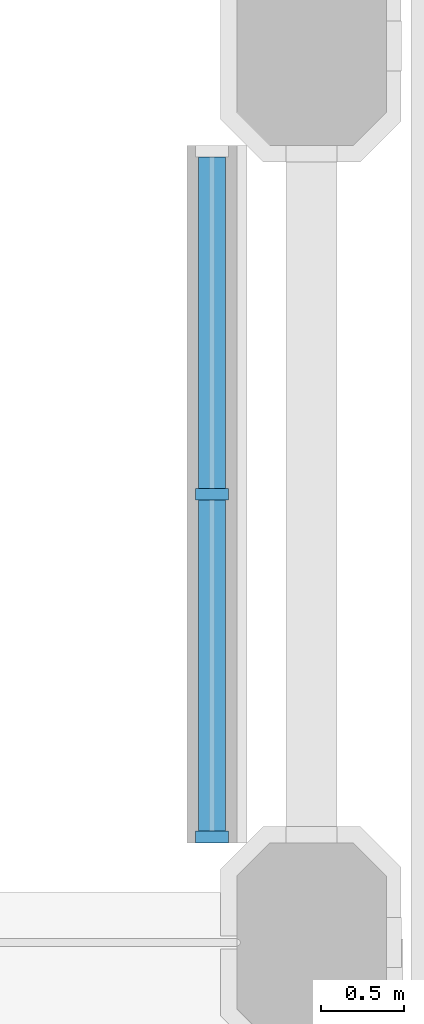
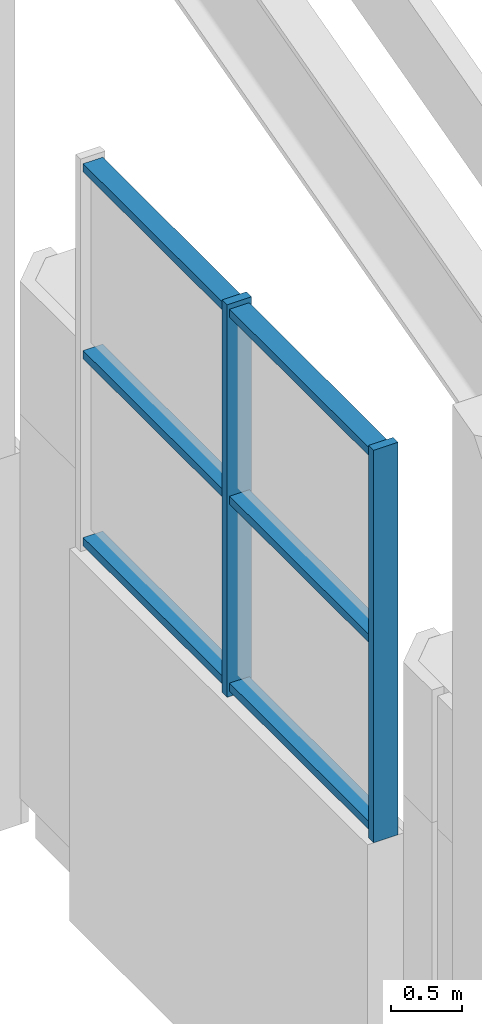
# One storey, part 16 of 42: 8 members, 1 element without a shape of its own.
"""IFC4 building model written with IfcOpenShell, lengths in metres."""

from ifc_helpers import new_model, si_unit, direction, frame, origin, origin_2d, place, context, subcontext, project, spatial, rectangle, extrude, material, material_profile, profile_set, type_object, element, aggregate, save


model = new_model("IFC4")

# Units and contexts
model_context = context("Model", 3, precision=1e-05, world=origin(), true_north=direction((0.0, 1.0)))
body_context = subcontext(model_context, "Body", "Model", "MODEL_VIEW")
ifc_project = project(units=[si_unit("LENGTHUNIT", "METRE"), si_unit("AREAUNIT", "SQUARE_METRE"), si_unit("VOLUMEUNIT", "CUBIC_METRE"), si_unit("PLANEANGLEUNIT", "RADIAN"), si_unit("MASSUNIT", "GRAM", prefix="KILO")], contexts=[model_context])

# Site, building, storey
site_placement = place(None, origin())
site = spatial("IfcSite", under=ifc_project, at=site_placement, CompositionType="ELEMENT")
building_placement = place(site_placement, origin())
building = spatial("IfcBuilding", under=site, at=building_placement, Name="Tabaq Tower and Sports Hall", CompositionType="ELEMENT")
storey_placement = place(building_placement, frame((0.0, 0.0, 19.800048828125)))
storey = spatial("IfcBuildingStorey", under=building, at=storey_placement, Name="L03", CompositionType="ELEMENT", Elevation=19.800048828125)

# Curtain wall, members
ifc_material_1 = material(Name="Aluminium alloy 6063-T6 framed glazing", Category="aluminium")
curtain_wall_type = type_object("IfcCurtainWallType", Name="CW6 curtain wall", PredefinedType="USERDEFINED", material=ifc_material_1)
curtain_wall_placement = place(storey_placement, origin())
curtain_wall = element("IfcCurtainWall", 1, at=curtain_wall_placement, inside=storey, type_object=curtain_wall_type, Name="L03 E hall glazing run", ObjectType="HALL FACADE WALL", PredefinedType="USERDEFINED")
ifc_material_2 = material(Name="Aluminium alloy 6063-T6", Category="aluminium")
ifc_material_profile_1 = material_profile(ifc_material_2, rectangle(XDim=0.199951171875, YDim=0.070068359375, at=origin_2d()), Name="MULLION 200x70")
ifc_profile_set_1 = profile_set([ifc_material_profile_1], Name="Aluminium alloy 6063-T6")
member_type_1 = type_object("IfcMemberType", Name="CW6 mullion 200x70", PredefinedType="MULLION", material=ifc_profile_set_1)
member_1_placement = place(storey_placement, frame((123.60009765625, 11.43505859375, 3.199951171875), z_axis=(0.0, 0.0, 1.0), x_axis=(-1.0, 0.0, 0.0)))
member_1 = element("IfcMember", 2, at=member_1_placement, type_object=member_type_1, Name="CW6 mullion 1", PredefinedType="MULLION", context=body_context, shape_type="SweptSolid", body=[
    extrude(rectangle(XDim=0.199951171875, YDim=0.070068359375, at=origin_2d()), origin(), (0.0, 0.0, 1.0), 3.376708984375),
])
member_2_placement = place(storey_placement, frame((123.60009765625, 13.5, 3.199951171875), z_axis=(0.0, 0.0, 1.0), x_axis=(-1.0, 0.0, 0.0)))
member_2 = element("IfcMember", 3, at=member_2_placement, type_object=member_type_1, Name="CW6 mullion 2", PredefinedType="MULLION", context=body_context, shape_type="SweptSolid", body=[
    extrude(rectangle(XDim=0.199951171875, YDim=0.070068359375, at=origin_2d()), origin(), (0.0, 0.0, 1.0), 3.376708984375),
])
ifc_material_3 = material(Name="Aluminium alloy 6063-T6", Category="aluminium")
ifc_material_profile_2 = material_profile(ifc_material_3, rectangle(XDim=0.159912109375, YDim=0.070068359375, at=origin_2d()), Name="TRANSOM 160x70")
ifc_profile_set_2 = profile_set([ifc_material_profile_2], Name="Aluminium alloy 6063-T6")
member_type_2 = type_object("IfcMemberType", Name="CW6 transom 160x70", PredefinedType="USERDEFINED", material=ifc_profile_set_2)
member_3_placement = place(storey_placement, frame((123.60009765625, 11.469970703125, 3.280029296875), z_axis=(0.0, 1.0, 0.0), x_axis=(-1.0, 0.0, 0.0)))
member_3 = element("IfcMember", 4, at=member_3_placement, type_object=member_type_2, Name="CW6 transom 1.1", ObjectType="TRANSOM", PredefinedType="USERDEFINED", context=body_context, shape_type="SweptSolid", body=[
    extrude(rectangle(XDim=0.159912109375, YDim=0.070068359375, at=origin_2d()), origin(), (0.0, 0.0, 1.0), 1.9951171875),
])
member_4_placement = place(storey_placement, frame((123.60009765625, 11.469970703125, 4.888427734375), z_axis=(0.0, 1.0, 0.0), x_axis=(-1.0, 0.0, 0.0)))
member_4 = element("IfcMember", 5, at=member_4_placement, type_object=member_type_2, Name="CW6 transom 1.2", ObjectType="TRANSOM", PredefinedType="USERDEFINED", context=body_context, shape_type="SweptSolid", body=[
    extrude(rectangle(XDim=0.159912109375, YDim=0.070068359375, at=origin_2d()), origin(), (0.0, 0.0, 1.0), 1.9951171875),
])
member_5_placement = place(storey_placement, frame((123.60009765625, 11.469970703125, 6.496826171875), z_axis=(0.0, 1.0, 0.0), x_axis=(-1.0, 0.0, 0.0)))
member_5 = element("IfcMember", 6, at=member_5_placement, type_object=member_type_2, Name="CW6 transom 1.3", ObjectType="TRANSOM", PredefinedType="USERDEFINED", context=body_context, shape_type="SweptSolid", body=[
    extrude(rectangle(XDim=0.159912109375, YDim=0.070068359375, at=origin_2d()), origin(), (0.0, 0.0, 1.0), 1.9951171875),
])
member_6_placement = place(storey_placement, frame((123.60009765625, 13.534912109375, 3.280029296875), z_axis=(0.0, 1.0, 0.0), x_axis=(-1.0, 0.0, 0.0)))
member_6 = element("IfcMember", 7, at=member_6_placement, type_object=member_type_2, Name="CW6 transom 2.1", ObjectType="TRANSOM", PredefinedType="USERDEFINED", context=body_context, shape_type="SweptSolid", body=[
    extrude(rectangle(XDim=0.159912109375, YDim=0.070068359375, at=origin_2d()), origin(), (0.0, 0.0, 1.0), 1.9951171875),
])
member_7_placement = place(storey_placement, frame((123.60009765625, 13.534912109375, 4.888427734375), z_axis=(0.0, 1.0, 0.0), x_axis=(-1.0, 0.0, 0.0)))
member_7 = element("IfcMember", 8, at=member_7_placement, type_object=member_type_2, Name="CW6 transom 2.2", ObjectType="TRANSOM", PredefinedType="USERDEFINED", context=body_context, shape_type="SweptSolid", body=[
    extrude(rectangle(XDim=0.159912109375, YDim=0.070068359375, at=origin_2d()), origin(), (0.0, 0.0, 1.0), 1.9951171875),
])
member_8_placement = place(storey_placement, frame((123.60009765625, 13.534912109375, 6.496826171875), z_axis=(0.0, 1.0, 0.0), x_axis=(-1.0, 0.0, 0.0)))
member_8 = element("IfcMember", 9, at=member_8_placement, type_object=member_type_2, Name="CW6 transom 2.3", ObjectType="TRANSOM", PredefinedType="USERDEFINED", context=body_context, shape_type="SweptSolid", body=[
    extrude(rectangle(XDim=0.159912109375, YDim=0.070068359375, at=origin_2d()), origin(), (0.0, 0.0, 1.0), 1.9951171875),
])
aggregate(curtain_wall, [member_1, member_2, member_3, member_4, member_5, member_6, member_7, member_8])

save(model, "model.ifc")
